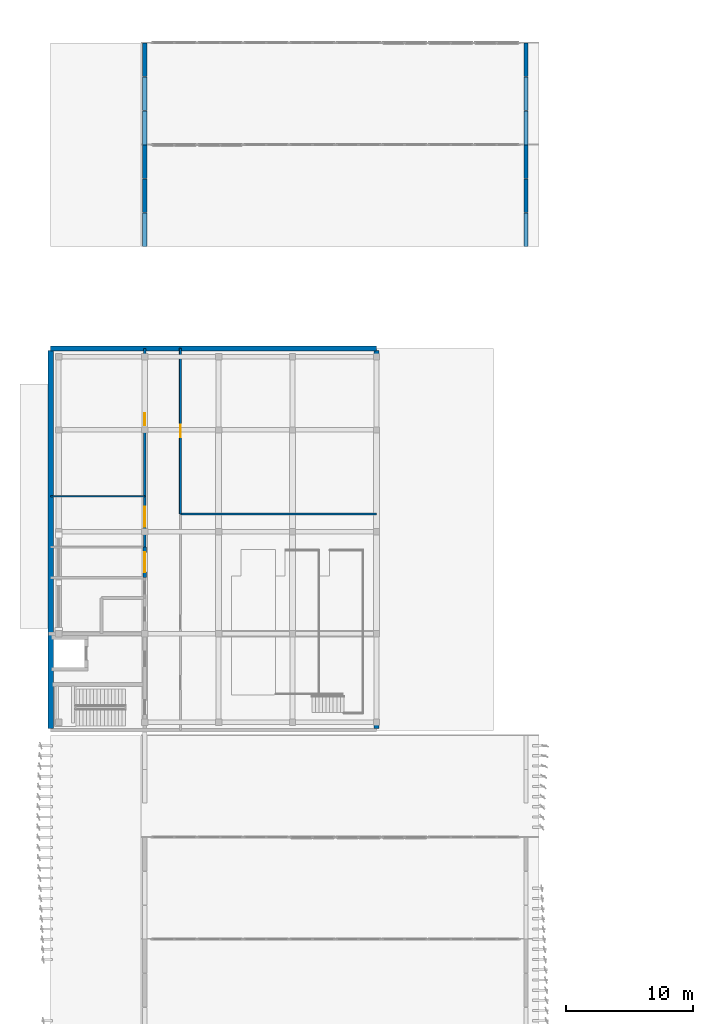
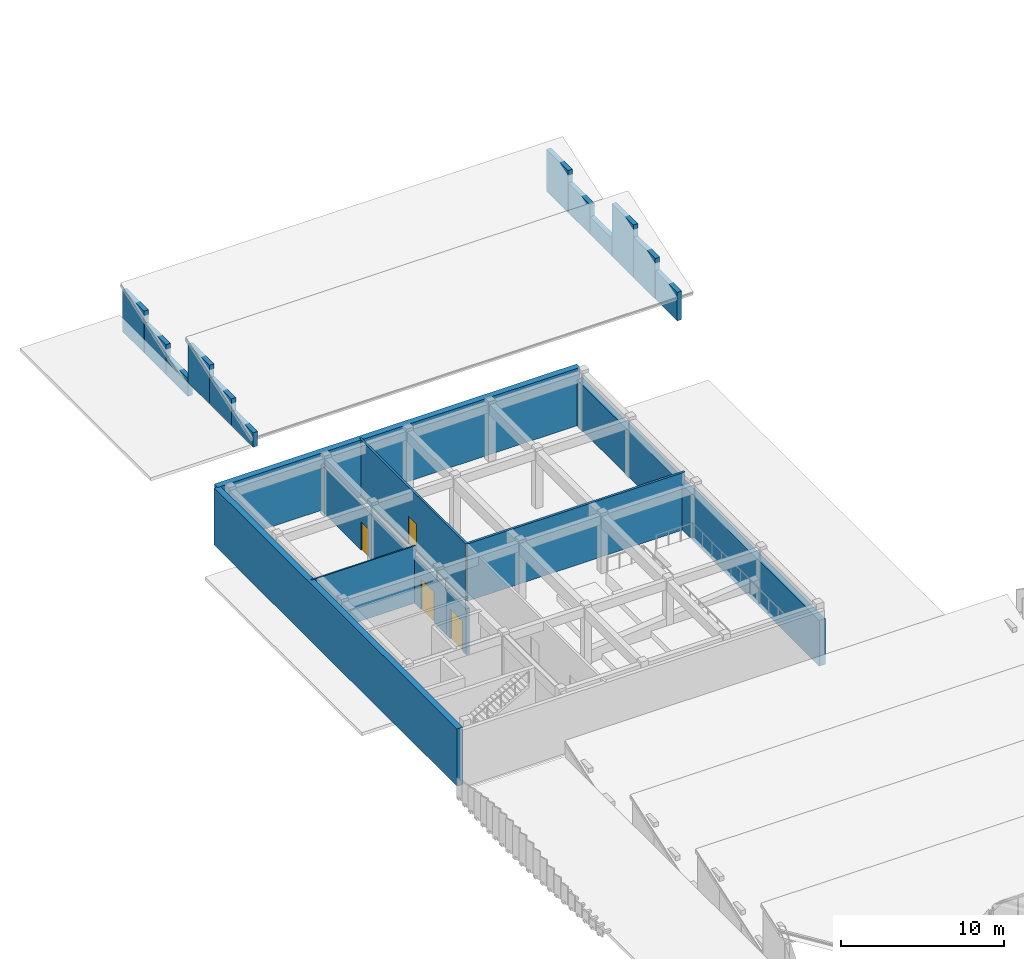
# One storey, part 28 of 45: 21 walls, 4 doors, 4 openings.
"""IFC4 building model written with IfcOpenShell, lengths in metres."""

from ifc_helpers import new_model, si_unit, direction, frame, frame_2d, origin, place, context, subcontext, project, spatial, rectangle, extrude, material, layer, layer_set, type_object, element, fill, save


model = new_model("IFC4")

# Units and contexts
model_context = context("Model", 3, precision=1e-05, world=origin(), true_north=direction((0.0, 1.0)))
body_context = subcontext(model_context, "Body", "Model", "MODEL_VIEW")
ifc_project = project(units=[si_unit("LENGTHUNIT", "METRE"), si_unit("AREAUNIT", "SQUARE_METRE"), si_unit("VOLUMEUNIT", "CUBIC_METRE"), si_unit("PLANEANGLEUNIT", "RADIAN"), si_unit("MASSUNIT", "GRAM", prefix="KILO")], contexts=[model_context])

# Site, building, storey
site_placement = place(None, origin())
site = spatial("IfcSite", under=ifc_project, at=site_placement, CompositionType="ELEMENT")
building_placement = place(site_placement, origin())
building = spatial("IfcBuilding", under=site, at=building_placement, Name="Cinchona Park Media Centre", CompositionType="ELEMENT")
storey_placement = place(building_placement, frame((0.0, 0.0, 20.39990234375)))
storey = spatial("IfcBuildingStorey", under=building, at=storey_placement, Name="L04", CompositionType="ELEMENT", Elevation=20.39990234375)

# Walls
ifc_material_1 = material(Name="Precast concrete C40/50", Category="concrete")
ifc_layer_1 = layer(ifc_material_1, 0.425048828125)
ifc_layer_set_1 = layer_set([ifc_layer_1], Name="Precast concrete C40/50")
wall_type_1 = type_object("IfcWallType", Name="WALL-W-AC01", PredefinedType="SOLIDWALL", material=ifc_layer_set_1)
wall_1_placement = place(storey_placement, frame((8.0, 94.0, 0.0), z_axis=(0.0, 0.0, 1.0), x_axis=(1.0, 0.0, 0.0)))
element("IfcWall", 1, at=wall_1_placement, inside=storey, type_object=wall_type_1, Name="Exterior Wall W-AC01 V4 L04", PredefinedType="SOLIDWALL", context=body_context, shape_type="SweptSolid", body=[
    extrude(rectangle(XDim=25.60009765625, YDim=0.425048828125, at=frame_2d((12.800048828125, 0.0))), origin(), (0.0, 0.0, 1.0), 4.280029296875),
])
wall_2_placement = place(storey_placement, frame((33.60009765625, 93.860107421875, 0.0), z_axis=(0.0, 0.0, 1.0), x_axis=(0.0, -1.0, 0.0)))
element("IfcWall", 2, at=wall_2_placement, inside=storey, type_object=wall_type_1, Name="Exterior Wall W-AC01 V4 L04", PredefinedType="SOLIDWALL", context=body_context, shape_type="SweptSolid", body=[
    extrude(rectangle(XDim=29.72021484375, YDim=0.425048828125, at=frame_2d((14.860107421875, 0.0))), origin(), (0.0, 0.0, 1.0), 3.43017578125),
])
wall_3_placement = place(storey_placement, frame((8.0, 64.139892578125, 0.0), z_axis=(0.0, 0.0, 1.0), x_axis=(0.0, 1.0, 0.0)))
element("IfcWall", 3, at=wall_3_placement, inside=storey, type_object=wall_type_1, Name="Exterior Wall W-AC01 V4 L04", PredefinedType="SOLIDWALL", context=body_context, shape_type="SweptSolid", body=[
    extrude(rectangle(XDim=29.72021484375, YDim=0.425048828125, at=frame_2d((14.860107421875, 0.0))), origin(), (0.0, 0.0, 1.0), 4.280029296875),
])

# Wall, opening, door
ifc_material_2 = material(Name="Acoustic Double-Stud Gypsum Partition", Category="gypsum")
ifc_layer_2 = layer(ifc_material_2, 0.2099609375)
ifc_layer_set_2 = layer_set([ifc_layer_2], Name="Acoustic Double-Stud Gypsum Partition")
wall_type_2 = type_object("IfcWallType", Name="WALL-W-AC210", PredefinedType="PARTITIONING", material=ifc_layer_set_2)
wall_4_placement = place(storey_placement, frame((15.39990234375, 78.39990234375, 0.0), z_axis=(0.0, 0.0, 1.0), x_axis=(0.0, 1.0, 0.0)))
wall_4 = element("IfcWall", 4, at=wall_4_placement, inside=storey, type_object=wall_type_2, Name="Interior Wall W-AC210 L04", PredefinedType="PARTITIONING", context=body_context, shape_type="SweptSolid", body=[
    extrude(rectangle(XDim=4.0, YDim=0.2099609375, at=frame_2d((2.0, 0.0))), origin(), (0.0, 0.0, 1.0), 3.43017578125),
])
opening_1_placement = place(wall_4_placement, frame((1.580078125, 0.0, 0.0)))
opening_1 = element("IfcOpeningElement", 5, at=opening_1_placement, cuts=wall_4, Name="Opening D336", PredefinedType="OPENING", context=body_context, shape_type="SweptSolid", body=[
    extrude(rectangle(XDim=1.60009765625, YDim=2.300048828125, at=frame_2d((0.800048828125, 1.14990234375))), frame((0.0, 0.114990234375, 0.0), z_axis=(0.0, -1.0, 0.0), x_axis=(1.0, 0.0, 0.0)), (0.0, 0.0, 1.0), 0.22998046875),
])
ifc_material_3 = material(Name="Solid-Core Timber Acoustic Door", Category="wood")
door_type_1 = type_object("IfcDoorType", Name="DOOR-DT17", OperationType="NOTDEFINED", PredefinedType="DOOR", material=ifc_material_3)
door_1_placement = place(opening_1_placement, origin())
door_1 = element("IfcDoor", 6, at=door_1_placement, inside=storey, type_object=door_type_1, Name="Interior Door D336", OperationType="SINGLE_SWING_RIGHT", OverallHeight=2.300048828125, OverallWidth=1.60009765625, PredefinedType="DOOR", context=body_context, shape_type="SweptSolid", body=[
    extrude(rectangle(XDim=1.60009765625, YDim=2.300048828125, at=frame_2d((0.800048828125, 1.14990234375))), frame((0.0, 0.02490234375, 0.0), z_axis=(0.0, -1.0, 0.0), x_axis=(1.0, 0.0, 0.0)), (0.0, 0.0, 1.0), 0.050048828125),
])
fill(opening_1, door_1)

ifc_material_4 = material(Name="Acoustic Double-Stud Gypsum Partition", Category="gypsum")
ifc_layer_3 = layer(ifc_material_4, 0.239990234375)
ifc_layer_set_3 = layer_set([ifc_layer_3], Name="Acoustic Double-Stud Gypsum Partition")
wall_type_3 = type_object("IfcWallType", Name="WALL-W-AC240", PredefinedType="PARTITIONING", material=ifc_layer_set_3)
wall_5_placement = place(storey_placement, frame((15.39990234375, 76.0, 0.0), z_axis=(0.0, 0.0, 1.0), x_axis=(0.0, 1.0, 0.0)))
wall_5 = element("IfcWall", 7, at=wall_5_placement, inside=storey, type_object=wall_type_3, Name="Interior Wall W-AC240 L04", PredefinedType="PARTITIONING", context=body_context, shape_type="SweptSolid", body=[
    extrude(rectangle(XDim=2.39990234375, YDim=0.239990234375, at=frame_2d((1.199951171875, 0.0))), origin(), (0.0, 0.0, 1.0), 3.43017578125),
])
opening_2_placement = place(wall_5_placement, frame((0.425048828125, 0.0, 0.0)))
opening_2 = element("IfcOpeningElement", 8, at=opening_2_placement, cuts=wall_5, Name="Opening D335", PredefinedType="OPENING", context=body_context, shape_type="SweptSolid", body=[
    extrude(rectangle(XDim=1.550048828125, YDim=2.25, at=frame_2d((0.77490234375, 1.125))), frame((0.0, 0.1298828125, 0.0), z_axis=(0.0, -1.0, 0.0), x_axis=(1.0, 0.0, 0.0)), (0.0, 0.0, 1.0), 0.260009765625),
])
ifc_material_5 = material(Name="Solid-Core Timber Acoustic Door", Category="wood")
door_type_2 = type_object("IfcDoorType", Name="DOOR-DT16", OperationType="NOTDEFINED", PredefinedType="DOOR", material=ifc_material_5)
door_2_placement = place(opening_2_placement, origin())
door_2 = element("IfcDoor", 9, at=door_2_placement, inside=storey, type_object=door_type_2, Name="Interior Door D335", OperationType="SINGLE_SWING_LEFT", OverallHeight=2.25, OverallWidth=1.550048828125, PredefinedType="DOOR", context=body_context, shape_type="SweptSolid", body=[
    extrude(rectangle(XDim=1.550048828125, YDim=2.25, at=frame_2d((0.77490234375, 1.125))), frame((0.0, 0.02490234375, 0.0), z_axis=(0.0, -1.0, 0.0), x_axis=(1.0, 0.0, 0.0)), (0.0, 0.0, 1.0), 0.050048828125),
])
fill(opening_2, door_2)

# Walls
ifc_material_6 = material(Name="Precast concrete C40/50", Category="concrete")
ifc_layer_4 = layer(ifc_material_6, 0.320068359375)
ifc_layer_set_4 = layer_set([ifc_layer_4], Name="Precast concrete C40/50")
wall_type_4 = type_object("IfcWallType", Name="WALL-W-EX02", PredefinedType="SOLIDWALL", material=ifc_layer_set_4)
wall_6_placement = place(storey_placement, frame((15.39990234375, 102.0, -0.239990234375), z_axis=(0.0, 0.0, 1.0), x_axis=(0.0, 1.0, 0.0)))
element("IfcWall", 10, at=wall_6_placement, inside=storey, type_object=wall_type_4, Name="Sawtooth Gable Wall V2 Bay 1 West", PredefinedType="SOLIDWALL", context=body_context, shape_type="SweptSolid", body=[
    extrude(rectangle(XDim=2.652099609375, YDim=0.320068359375, at=frame_2d((1.326171875, 0.0))), origin(), (0.0, 0.0, 1.0), 1.080078125),
])
wall_7_placement = place(storey_placement, frame((45.360107421875, 102.0, -1.289794921875), z_axis=(0.0, 0.0, 1.0), x_axis=(0.0, 1.0, 0.0)))
element("IfcWall", 11, at=wall_7_placement, inside=storey, type_object=wall_type_4, Name="Sawtooth Gable Wall V2 Bay 1 East", PredefinedType="SOLIDWALL", context=body_context, shape_type="SweptSolid", body=[
    extrude(rectangle(XDim=2.652099609375, YDim=0.320068359375, at=frame_2d((1.326171875, 0.0))), origin(), (0.0, 0.0, 1.0), 2.1298828125),
])
wall_8_placement = place(storey_placement, frame((15.39990234375, 104.681884765625, -0.239990234375), z_axis=(0.0, 0.0, 1.0), x_axis=(0.0, 1.0, 0.0)))
element("IfcWall", 12, at=wall_8_placement, inside=storey, type_object=wall_type_4, Name="Sawtooth Gable Wall V2 Bay 1 West", PredefinedType="SOLIDWALL", context=body_context, shape_type="SweptSolid", body=[
    extrude(rectangle(XDim=2.63623046875, YDim=0.320068359375, at=frame_2d((1.318115234375, 0.0))), origin(), (0.0, 0.0, 1.0), 1.97998046875),
])
wall_9_placement = place(storey_placement, frame((45.360107421875, 104.681884765625, -1.289794921875), z_axis=(0.0, 0.0, 1.0), x_axis=(0.0, 1.0, 0.0)))
element("IfcWall", 13, at=wall_9_placement, inside=storey, type_object=wall_type_4, Name="Sawtooth Gable Wall V2 Bay 1 East", PredefinedType="SOLIDWALL", context=body_context, shape_type="SweptSolid", body=[
    extrude(rectangle(XDim=2.63623046875, YDim=0.320068359375, at=frame_2d((1.318115234375, 0.0))), origin(), (0.0, 0.0, 1.0), 3.02978515625),
])
wall_10_placement = place(storey_placement, frame((15.39990234375, 107.347900390625, -0.239990234375), z_axis=(0.0, 0.0, 1.0), x_axis=(0.0, 1.0, 0.0)))
element("IfcWall", 14, at=wall_10_placement, inside=storey, type_object=wall_type_4, Name="Sawtooth Gable Wall V2 Bay 1 West", PredefinedType="SOLIDWALL", context=body_context, shape_type="SweptSolid", body=[
    extrude(rectangle(XDim=2.652099609375, YDim=0.320068359375, at=frame_2d((1.326171875, 0.0))), origin(), (0.0, 0.0, 1.0), 2.880126953125),
])
wall_11_placement = place(storey_placement, frame((45.360107421875, 107.347900390625, -1.289794921875), z_axis=(0.0, 0.0, 1.0), x_axis=(0.0, 1.0, 0.0)))
element("IfcWall", 15, at=wall_11_placement, inside=storey, type_object=wall_type_4, Name="Sawtooth Gable Wall V2 Bay 1 East", PredefinedType="SOLIDWALL", context=body_context, shape_type="SweptSolid", body=[
    extrude(rectangle(XDim=2.652099609375, YDim=0.320068359375, at=frame_2d((1.326171875, 0.0))), origin(), (0.0, 0.0, 1.0), 3.929931640625),
])
for number, where, z_axis, x_axis, name in (
    (16, (15.39990234375, 110.0, -1.289794921875), (0.0, 0.0, 1.0), (0.0, 1.0, 0.0), "Sawtooth Gable Wall V2 Bay 2 West"),
    (17, (45.360107421875, 110.0, -1.289794921875), (0.0, 0.0, 1.0), (0.0, 1.0, 0.0), "Sawtooth Gable Wall V2 Bay 2 East"),
):
    element("IfcWall", number, at=place(storey_placement, frame(where, z_axis=z_axis, x_axis=x_axis)), inside=storey, type_object=wall_type_4, Name=name, PredefinedType="SOLIDWALL", context=body_context, shape_type="SweptSolid", body=[
        extrude(rectangle(XDim=2.652099609375, YDim=0.320068359375, at=frame_2d((1.326171875, 0.0))), origin(), (0.0, 0.0, 1.0), 1.329833984375),
    ])
for number, where, z_axis, x_axis, name in (
    (18, (15.39990234375, 112.681884765625, -1.289794921875), (0.0, 0.0, 1.0), (0.0, 1.0, 0.0), "Sawtooth Gable Wall V2 Bay 2 West"),
    (19, (45.360107421875, 112.681884765625, -1.289794921875), (0.0, 0.0, 1.0), (0.0, 1.0, 0.0), "Sawtooth Gable Wall V2 Bay 2 East"),
):
    element("IfcWall", number, at=place(storey_placement, frame(where, z_axis=z_axis, x_axis=x_axis)), inside=storey, type_object=wall_type_4, Name=name, PredefinedType="SOLIDWALL", context=body_context, shape_type="SweptSolid", body=[
        extrude(rectangle(XDim=2.63623046875, YDim=0.320068359375, at=frame_2d((1.318115234375, 0.0))), origin(), (0.0, 0.0, 1.0), 2.22998046875),
    ])
for number, where, z_axis, x_axis, name in (
    (20, (15.39990234375, 115.347900390625, -1.289794921875), (0.0, 0.0, 1.0), (0.0, 1.0, 0.0), "Sawtooth Gable Wall V2 Bay 2 West"),
    (21, (45.360107421875, 115.347900390625, -1.289794921875), (0.0, 0.0, 1.0), (0.0, 1.0, 0.0), "Sawtooth Gable Wall V2 Bay 2 East"),
):
    element("IfcWall", number, at=place(storey_placement, frame(where, z_axis=z_axis, x_axis=x_axis)), inside=storey, type_object=wall_type_4, Name=name, PredefinedType="SOLIDWALL", context=body_context, shape_type="SweptSolid", body=[
        extrude(rectangle(XDim=2.652099609375, YDim=0.320068359375, at=frame_2d((1.326171875, 0.0))), origin(), (0.0, 0.0, 1.0), 3.1298828125),
    ])
ifc_material_7 = material(Name="Gypsum Metal-Stud Partition", Category="gypsum")
ifc_layer_5 = layer(ifc_material_7, 0.10009765625)
ifc_layer_set_5 = layer_set([ifc_layer_5], Name="Gypsum Metal-Stud Partition")
wall_type_5 = type_object("IfcWallType", Name="WALL-W-PT100", PredefinedType="PARTITIONING", material=ifc_layer_set_5)
wall_12_placement = place(storey_placement, frame((8.0, 82.39990234375, 0.0), z_axis=(0.0, 0.0, 1.0), x_axis=(1.0, 0.0, 0.0)))
element("IfcWall", 22, at=wall_12_placement, inside=storey, type_object=wall_type_5, Name="Interior Wall W-PT100 L04", PredefinedType="PARTITIONING", context=body_context, shape_type="SweptSolid", body=[
    extrude(rectangle(XDim=7.39990234375, YDim=0.10009765625, at=frame_2d((3.699951171875, 0.0))), origin(), (0.0, 0.0, 1.0), 4.280029296875),
])

# Wall, opening, door
ifc_material_8 = material(Name="Fire-Rated Gypsum Stud Partition", Category="gypsum")
ifc_layer_6 = layer(ifc_material_8, 0.14990234375)
ifc_layer_set_6 = layer_set([ifc_layer_6], Name="Fire-Rated Gypsum Stud Partition")
wall_type_6 = type_object("IfcWallType", Name="WALL-W-PT150", PredefinedType="PARTITIONING", material=ifc_layer_set_6)
wall_13_placement = place(storey_placement, frame((18.199951171875, 94.0, 0.0), z_axis=(0.0, 0.0, 1.0), x_axis=(0.0, -1.0, 0.0)))
wall_13 = element("IfcWall", 23, at=wall_13_placement, inside=storey, type_object=wall_type_6, Name="Interior Wall W-PT150 L04", PredefinedType="PARTITIONING", context=body_context, shape_type="SweptSolid", body=[
    extrude(rectangle(XDim=13.0, YDim=0.14990234375, at=frame_2d((6.5, 0.0))), origin(), (0.0, 0.0, 1.0), 4.280029296875),
])
opening_3_placement = place(wall_13_placement, frame((6.010009765625, 0.0, 0.0)))
opening_3 = element("IfcOpeningElement", 24, at=opening_3_placement, cuts=wall_13, Name="Opening D340", PredefinedType="OPENING", context=body_context, shape_type="SweptSolid", body=[
    extrude(rectangle(XDim=0.97998046875, YDim=2.10009765625, at=frame_2d((0.489990234375, 1.050048828125))), frame((0.0, 0.0849609375, 0.0), z_axis=(0.0, -1.0, 0.0), x_axis=(1.0, 0.0, 0.0)), (0.0, 0.0, 1.0), 0.169921875),
])
ifc_material_9 = material(Name="Fire-Rated Acoustic Timber-Steel Door", Category="steel")
door_type_3 = type_object("IfcDoorType", Name="DOOR-DT03", OperationType="NOTDEFINED", PredefinedType="DOOR", material=ifc_material_9)
door_3_placement = place(opening_3_placement, origin())
door_3 = element("IfcDoor", 25, at=door_3_placement, inside=storey, type_object=door_type_3, Name="Interior Door D340", OperationType="SINGLE_SWING_RIGHT", OverallHeight=2.10009765625, OverallWidth=0.97998046875, PredefinedType="DOOR", context=body_context, shape_type="SweptSolid", body=[
    extrude(rectangle(XDim=0.97998046875, YDim=2.10009765625, at=frame_2d((0.489990234375, 1.050048828125))), frame((0.0, 0.02490234375, 0.0), z_axis=(0.0, -1.0, 0.0), x_axis=(1.0, 0.0, 0.0)), (0.0, 0.0, 1.0), 0.050048828125),
])
fill(opening_3, door_3)

# Wall
ifc_material_10 = material(Name="Fire-Rated Gypsum Stud Partition", Category="gypsum")
ifc_layer_7 = layer(ifc_material_10, 0.1650390625)
ifc_layer_set_7 = layer_set([ifc_layer_7], Name="Fire-Rated Gypsum Stud Partition")
wall_type_7 = type_object("IfcWallType", Name="WALL-W-PT165", PredefinedType="PARTITIONING", material=ifc_layer_set_7)
wall_14_placement = place(storey_placement, frame((18.199951171875, 81.0, 0.0), z_axis=(0.0, 0.0, 1.0), x_axis=(1.0, 0.0, 0.0)))
element("IfcWall", 26, at=wall_14_placement, inside=storey, type_object=wall_type_7, Name="Interior Wall W-PT165 L04", PredefinedType="PARTITIONING", context=body_context, shape_type="SweptSolid", body=[
    extrude(rectangle(XDim=15.400146484375, YDim=0.1650390625, at=frame_2d((7.7001953125, 0.0))), origin(), (0.0, 0.0, 1.0), 4.280029296875),
])

# Wall, opening, door
ifc_material_11 = material(Name="Fire-Rated Gypsum Stud Partition", Category="gypsum")
ifc_layer_8 = layer(ifc_material_11, 0.18994140625)
ifc_layer_set_8 = layer_set([ifc_layer_8], Name="Fire-Rated Gypsum Stud Partition")
wall_type_8 = type_object("IfcWallType", Name="WALL-W-PT190", PredefinedType="PARTITIONING", material=ifc_layer_set_8)
wall_15_placement = place(storey_placement, frame((15.39990234375, 82.39990234375, 0.0), z_axis=(0.0, 0.0, 1.0), x_axis=(0.0, 1.0, 0.0)))
wall_15 = element("IfcWall", 27, at=wall_15_placement, inside=storey, type_object=wall_type_8, Name="Interior Wall W-PT190 L04", PredefinedType="PARTITIONING", context=body_context, shape_type="SweptSolid", body=[
    extrude(rectangle(XDim=11.60009765625, YDim=0.18994140625, at=frame_2d((5.800048828125, 0.0))), origin(), (0.0, 0.0, 1.0), 3.43017578125),
])
opening_4_placement = place(wall_15_placement, frame((5.580078125, 0.0, 0.0)))
opening_4 = element("IfcOpeningElement", 28, at=opening_4_placement, cuts=wall_15, Name="Opening D337", PredefinedType="OPENING", context=body_context, shape_type="SweptSolid", body=[
    extrude(rectangle(XDim=0.919921875, YDim=2.10009765625, at=frame_2d((0.4599609375, 1.050048828125))), frame((0.0, 0.10498046875, 0.0), z_axis=(0.0, -1.0, 0.0), x_axis=(1.0, 0.0, 0.0)), (0.0, 0.0, 1.0), 0.2099609375),
])
ifc_material_12 = material(Name="Solid-Core Timber Acoustic Door", Category="wood")
door_type_4 = type_object("IfcDoorType", Name="DOOR-DT01", OperationType="NOTDEFINED", PredefinedType="DOOR", material=ifc_material_12)
door_4_placement = place(opening_4_placement, origin())
door_4 = element("IfcDoor", 29, at=door_4_placement, inside=storey, type_object=door_type_4, Name="Interior Door D337", OperationType="SINGLE_SWING_LEFT", OverallHeight=2.10009765625, OverallWidth=0.919921875, PredefinedType="DOOR", context=body_context, shape_type="SweptSolid", body=[
    extrude(rectangle(XDim=0.919921875, YDim=2.10009765625, at=frame_2d((0.4599609375, 1.050048828125))), frame((0.0, 0.02490234375, 0.0), z_axis=(0.0, -1.0, 0.0), x_axis=(1.0, 0.0, 0.0)), (0.0, 0.0, 1.0), 0.050048828125),
])
fill(opening_4, door_4)

save(model, "model.ifc")
